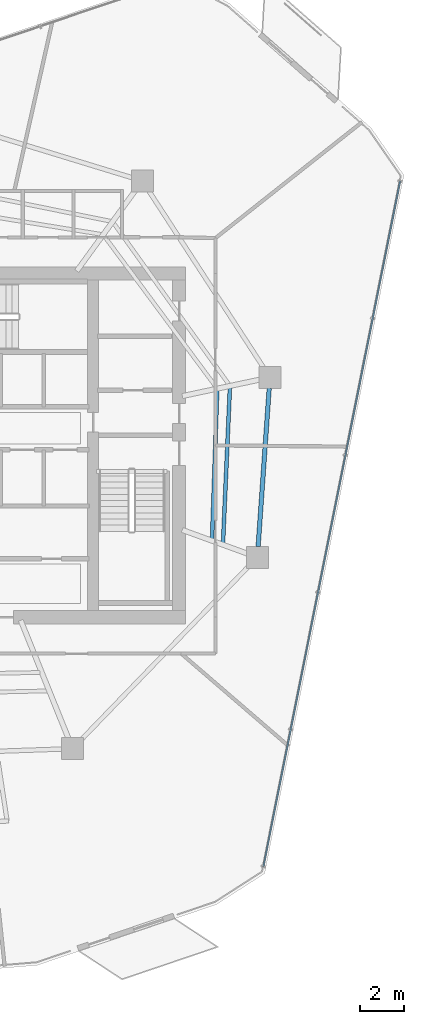
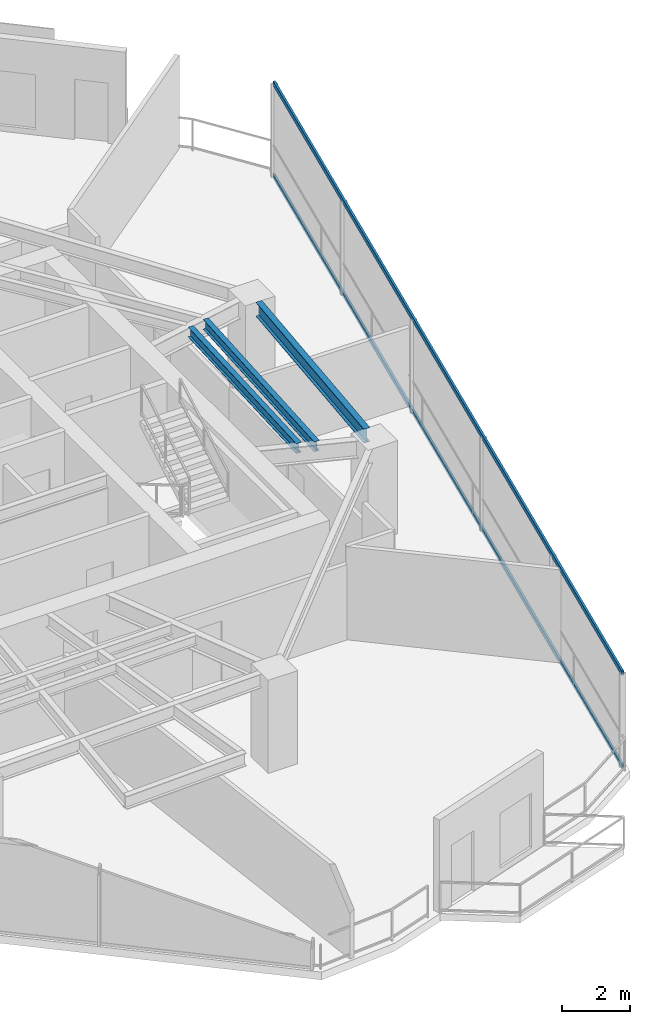
# One storey, part 9 of 20: 3 beams, 2 members, 1 element without a shape of its own.
"""IFC4 building model written with IfcOpenShell, lengths in metres."""

from ifc_helpers import new_model, si_unit, direction, frame, origin, origin_2d, place, context, subcontext, project, spatial, hollow_rectangle, i_section, extrude, material, layer, layer_set, material_profile, profile_set, type_object, element, aggregate, save


model = new_model("IFC4")

# Units and contexts
model_context = context("Model", 3, precision=1e-05, world=origin(), true_north=direction((0.0, 1.0)))
body_context = subcontext(model_context, "Body", "Model", "MODEL_VIEW")
ifc_project = project(units=[si_unit("LENGTHUNIT", "METRE"), si_unit("AREAUNIT", "SQUARE_METRE"), si_unit("VOLUMEUNIT", "CUBIC_METRE"), si_unit("PLANEANGLEUNIT", "RADIAN"), si_unit("MASSUNIT", "GRAM", prefix="KILO")], contexts=[model_context])

# Site, building, storey
site_placement = place(None, origin())
site = spatial("IfcSite", under=ifc_project, at=site_placement, CompositionType="ELEMENT")
building_placement = place(site_placement, origin())
building = spatial("IfcBuilding", under=site, at=building_placement, Name="Qarnah Convention Tower", CompositionType="ELEMENT")
storey_placement = place(building_placement, frame((0.0, 0.0, 136.5)))
storey = spatial("IfcBuildingStorey", under=building, at=storey_placement, Name="L36", CompositionType="ELEMENT", Elevation=136.5)

# Beams
ifc_material_1 = material(Name="Structural steel S355JR", Category="steel")
ifc_material_profile_1 = material_profile(ifc_material_1, i_section(OverallWidth=0.172119140625, OverallDepth=0.35595703125, WebThickness=0.007080078125, FlangeThickness=0.011962890625, at=origin_2d()), Name="W360X51")
ifc_profile_set_1 = profile_set([ifc_material_profile_1], Name="Structural steel S355JR")
beam_type_1 = type_object("IfcBeamType", Name="BM-JST-W360", PredefinedType="JOIST", material=ifc_profile_set_1)
beam_1_placement = place(storey_placement, frame((49.593994140625, 21.97998046875, 3.14208984375), z_axis=(0.044332910423, 0.999016813199, 0.0), x_axis=(-0.999016813199, 0.044332910423, 0.0)))
element("IfcBeam", 1, at=beam_1_placement, inside=storey, type_object=beam_type_1, Name="L36 joist BM-L36-SJST-09", PredefinedType="JOIST", context=body_context, shape_type="SweptSolid", body=[
    extrude(i_section(OverallWidth=0.172119140625, OverallDepth=0.35595703125, WebThickness=0.007080078125, FlangeThickness=0.011962890625, at=origin_2d()), origin(), (0.0, 0.0, 1.0), 7.037841796875),
])
beam_2_placement = place(storey_placement, frame((49.095947265625, 22.162109375, 3.14208984375), z_axis=(0.034644695133, 0.999399692365, 0.0), x_axis=(-0.999399692365, 0.034644695133, 0.0)))
element("IfcBeam", 2, at=beam_2_placement, inside=storey, type_object=beam_type_1, Name="L36 joist BM-L36-IJST-09", PredefinedType="JOIST", context=body_context, shape_type="SweptSolid", body=[
    extrude(i_section(OverallWidth=0.172119140625, OverallDepth=0.35595703125, WebThickness=0.007080078125, FlangeThickness=0.011962890625, at=origin_2d()), origin(), (0.0, 0.0, 1.0), 6.72998046875),
])
ifc_material_profile_2 = material_profile(ifc_material_1, i_section(OverallWidth=0.199951171875, OverallDepth=0.5, WebThickness=0.010009765625, FlangeThickness=0.01611328125, at=origin_2d()), Name="IPE500")
ifc_profile_set_2 = profile_set([ifc_material_profile_2], Name="Structural steel S355JR")
beam_type_2 = type_object("IfcBeamType", Name="BM-SPN-IPE500", PredefinedType="SPANDREL", material=ifc_profile_set_2)
beam_3_placement = place(storey_placement, frame((51.18798828125, 21.81005859375, 3.070068359375), z_axis=(0.069797433651, 0.997561185219, 0.0), x_axis=(-0.997561185219, 0.069797433651, 0.0)))
element("IfcBeam", 3, at=beam_3_placement, inside=storey, type_object=beam_type_2, Name="L36 spandrel BM-L36-SPN-09", PredefinedType="SPANDREL", context=body_context, shape_type="SweptSolid", body=[
    extrude(i_section(OverallWidth=0.199951171875, OverallDepth=0.5, WebThickness=0.010009765625, FlangeThickness=0.01611328125, at=origin_2d()), origin(), (0.0, 0.0, 1.0), 7.20556640625),
])

# Curtain wall, members
ifc_material_2 = material(Name="Tempered Low-E dark glass", Category="glass")
ifc_layer = layer(ifc_material_2, 0.172119140625)
ifc_layer_set = layer_set([ifc_layer], Name="Tempered Low-E dark glass")
curtain_wall_type = type_object("IfcCurtainWallType", Name="CWS-03", PredefinedType="NOTDEFINED", material=ifc_layer_set)
curtain_wall_placement = place(storey_placement, origin())
curtain_wall = element("IfcCurtainWall", 4, at=curtain_wall_placement, inside=storey, type_object=curtain_wall_type, Name="L36 unitised curtain wall CW-L36-F1", PredefinedType="NOTDEFINED")
ifc_material_3 = material(Name="Black anodised aluminium", Category="aluminium")
ifc_material_profile_3 = material_profile(ifc_material_3, hollow_rectangle(XDim=0.070068359375, YDim=0.169921875, WallThickness=0.0048828125, at=origin_2d()), Name="TRN-70X170")
ifc_profile_set_3 = profile_set([ifc_material_profile_3], Name="Black anodised aluminium")
member_type = type_object("IfcMemberType", Name="TRN-T3", PredefinedType="USERDEFINED", material=ifc_profile_set_3)
member_1_placement = place(storey_placement, frame((57.635009765625, 38.39892578125, 0.0), z_axis=(-0.195626399625, -0.980678495619, 0.0), x_axis=(0.980678495619, -0.195626399625, 0.0)))
member_1 = element("IfcMember", 5, at=member_1_placement, type_object=member_type, Name="CW-L36-F1 transom 1", ObjectType="TRANSOM", PredefinedType="USERDEFINED", context=body_context, shape_type="SweptSolid", body=[
    extrude(hollow_rectangle(XDim=0.070068359375, YDim=0.169921875, WallThickness=0.0048828125, at=origin_2d()), origin(), (0.0, 0.0, 1.0), 31.73388671875),
])
member_2_placement = place(storey_placement, frame((57.635009765625, 38.39892578125, 3.320068359375), z_axis=(-0.195626399625, -0.980678495619, 0.0), x_axis=(0.980678495619, -0.195626399625, 0.0)))
member_2 = element("IfcMember", 6, at=member_2_placement, type_object=member_type, Name="CW-L36-F1 transom 2", ObjectType="TRANSOM", PredefinedType="USERDEFINED", context=body_context, shape_type="SweptSolid", body=[
    extrude(hollow_rectangle(XDim=0.070068359375, YDim=0.169921875, WallThickness=0.0048828125, at=origin_2d()), origin(), (0.0, 0.0, 1.0), 31.73388671875),
])
aggregate(curtain_wall, [member_1, member_2])

save(model, "model.ifc")
